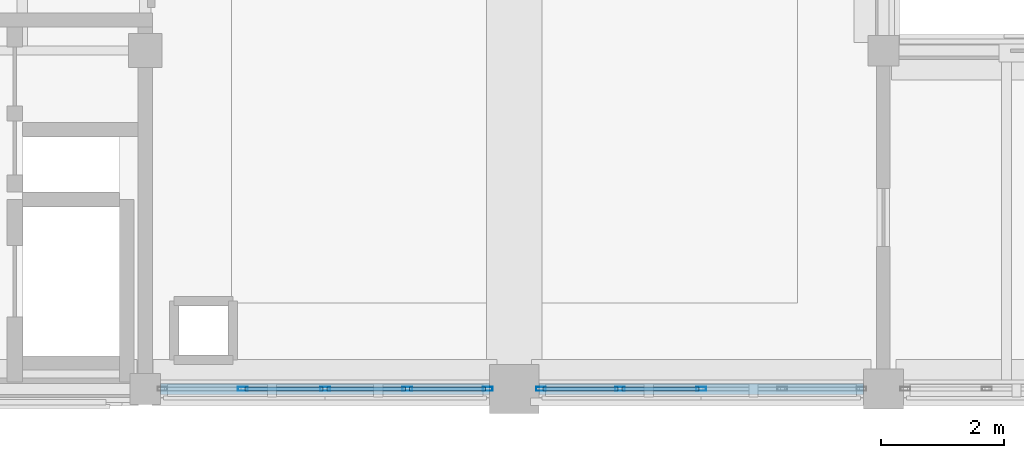
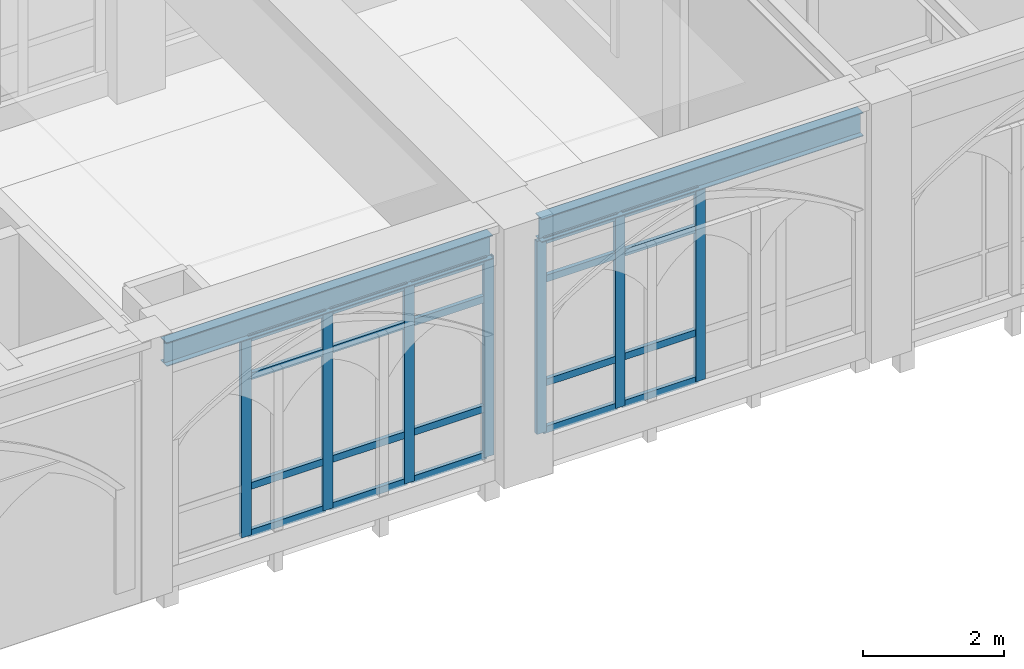
# One storey, part 13 of 127: 27 members, 2 beams, 2 elements without a shape of their own.
"""IFC4 building model written with IfcOpenShell, lengths in metres."""

from ifc_helpers import new_model, si_unit, direction, frame, origin, origin_2d, place, context, subcontext, project, spatial, hollow_rectangle, i_section, extrude, material, layer, layer_set, material_profile, profile_set, type_object, element, aggregate, save


model = new_model("IFC4")

# Units and contexts
model_context = context("Model", 3, precision=1e-05, world=origin(), true_north=direction((0.0, 1.0)))
body_context = subcontext(model_context, "Body", "Model", "MODEL_VIEW")
ifc_project = project(units=[si_unit("LENGTHUNIT", "METRE"), si_unit("AREAUNIT", "SQUARE_METRE"), si_unit("VOLUMEUNIT", "CUBIC_METRE"), si_unit("PLANEANGLEUNIT", "RADIAN"), si_unit("MASSUNIT", "GRAM", prefix="KILO")], contexts=[model_context])

# Site, building, storey
site_placement = place(None, origin())
site = spatial("IfcSite", under=ifc_project, at=site_placement, CompositionType="ELEMENT")
building_placement = place(site_placement, origin())
building = spatial("IfcBuilding", under=site, at=building_placement, Name="Cumevento Cable Car Station", CompositionType="ELEMENT")
storey_placement = place(building_placement, frame((0.0, 0.0, 4.5)))
storey = spatial("IfcBuildingStorey", under=building, at=storey_placement, Name="L02", CompositionType="ELEMENT", Elevation=4.5)

# Curtain wall, members
ifc_material_1 = material(Name="Anodised Bronze Aluminium AW-6063-T6", Category="aluminium")
ifc_layer_1 = layer(ifc_material_1, 0.18408203125)
ifc_layer_set_1 = layer_set([ifc_layer_1], Name="Anodised Bronze Aluminium AW-6063-T6")
curtain_wall_type_1 = type_object("IfcCurtainWallType", Name="Lancet Curtain Wall CW-05 1210", PredefinedType="NOTDEFINED", material=ifc_layer_set_1)
curtain_wall_1_placement = place(storey_placement, origin())
curtain_wall_1 = element("IfcCurtainWall", 1, at=curtain_wall_1_placement, inside=storey, type_object=curtain_wall_type_1, Name="Lancet Curtain Wall CW-05 L02 #20", PredefinedType="NOTDEFINED")
ifc_material_2 = material(Name="Anodised Bronze Aluminium AW-6063-T6", Category="aluminium")
ifc_material_profile_1 = material_profile(ifc_material_2, hollow_rectangle(XDim=0.06494140625, YDim=0.159912109375, WallThickness=0.00390625, at=origin_2d()), Name="ALUM65x160x4")
ifc_profile_set_1 = profile_set([ifc_material_profile_1], Name="Anodised Bronze Aluminium AW-6063-T6")
member_type_1 = type_object("IfcMemberType", Name="Curtain Mullion CWM-01 ALUM65x160x4", PredefinedType="MULLION", material=ifc_profile_set_1)
member_1_placement = place(storey_placement, frame((39.5673828125, 4.0, 0.360107421875), z_axis=(0.0, 0.0, 1.0), x_axis=(0.0, -1.0, 0.0)))
member_1 = element("IfcMember", 2, at=member_1_placement, type_object=member_type_1, Name="CW-05 mullion 1", PredefinedType="MULLION", context=body_context, shape_type="SweptSolid", body=[
    extrude(hollow_rectangle(XDim=0.06494140625, YDim=0.159912109375, WallThickness=0.00390625, at=origin_2d()), origin(), (0.0, 0.0, 1.0), 3.448974609375),
])
member_2_placement = place(storey_placement, frame((38.262451171875, 4.0, 0.360107421875), z_axis=(0.0, 0.0, 1.0), x_axis=(0.0, -1.0, 0.0)))
member_2 = element("IfcMember", 3, at=member_2_placement, type_object=member_type_1, Name="CW-05 mullion 2", PredefinedType="MULLION", context=body_context, shape_type="SweptSolid", body=[
    extrude(hollow_rectangle(XDim=0.06494140625, YDim=0.159912109375, WallThickness=0.00390625, at=origin_2d()), origin(), (0.0, 0.0, 1.0), 3.448974609375),
])
member_3_placement = place(storey_placement, frame((36.925048828125, 4.0, 0.360107421875), z_axis=(0.0, 0.0, 1.0), x_axis=(0.0, -1.0, 0.0)))
member_3 = element("IfcMember", 4, at=member_3_placement, type_object=member_type_1, Name="CW-05 mullion 3", PredefinedType="MULLION", context=body_context, shape_type="SweptSolid", body=[
    extrude(hollow_rectangle(XDim=0.06494140625, YDim=0.159912109375, WallThickness=0.00390625, at=origin_2d()), origin(), (0.0, 0.0, 1.0), 3.448974609375),
])
member_4_placement = place(storey_placement, frame((35.58740234375, 4.0, 0.360107421875), z_axis=(0.0, 0.0, 1.0), x_axis=(0.0, -1.0, 0.0)))
member_4 = element("IfcMember", 5, at=member_4_placement, type_object=member_type_1, Name="CW-05 mullion 4", PredefinedType="MULLION", context=body_context, shape_type="SweptSolid", body=[
    extrude(hollow_rectangle(XDim=0.06494140625, YDim=0.159912109375, WallThickness=0.00390625, at=origin_2d()), origin(), (0.0, 0.0, 1.0), 3.448974609375),
])

ifc_material_3 = material(Name="Anodised Bronze Aluminium AW-6063-T6", Category="aluminium")
ifc_layer_2 = layer(ifc_material_3, 0.196044921875)
ifc_layer_set_2 = layer_set([ifc_layer_2], Name="Anodised Bronze Aluminium AW-6063-T6")
curtain_wall_type_2 = type_object("IfcCurtainWallType", Name="Lancet Curtain Wall CW-07 1290", PredefinedType="NOTDEFINED", material=ifc_layer_set_2)
curtain_wall_2_placement = place(storey_placement, origin())
curtain_wall_2 = element("IfcCurtainWall", 6, at=curtain_wall_2_placement, inside=storey, type_object=curtain_wall_type_2, Name="Lancet Curtain Wall CW-07 L02 #22", PredefinedType="NOTDEFINED")
member_5_placement = place(storey_placement, frame((43.03759765625, 4.0, 0.4599609375), z_axis=(0.0, 0.0, 1.0), x_axis=(0.0, -1.0, 0.0)))
member_5 = element("IfcMember", 7, at=member_5_placement, type_object=member_type_1, Name="CW-07 mullion 3", PredefinedType="MULLION", context=body_context, shape_type="SweptSolid", body=[
    extrude(hollow_rectangle(XDim=0.06494140625, YDim=0.159912109375, WallThickness=0.00390625, at=origin_2d()), origin(), (0.0, 0.0, 1.0), 3.34912109375),
])
member_6_placement = place(storey_placement, frame((41.71875, 4.0, 0.4599609375), z_axis=(0.0, 0.0, 1.0), x_axis=(0.0, -1.0, 0.0)))
member_6 = element("IfcMember", 8, at=member_6_placement, type_object=member_type_1, Name="CW-07 mullion 4", PredefinedType="MULLION", context=body_context, shape_type="SweptSolid", body=[
    extrude(hollow_rectangle(XDim=0.06494140625, YDim=0.159912109375, WallThickness=0.00390625, at=origin_2d()), origin(), (0.0, 0.0, 1.0), 3.34912109375),
])
member_7_placement = place(storey_placement, frame((40.4326171875, 4.0, 0.4599609375), z_axis=(0.0, 0.0, 1.0), x_axis=(0.0, -1.0, 0.0)))
member_7 = element("IfcMember", 9, at=member_7_placement, type_object=member_type_1, Name="CW-07 mullion 5", PredefinedType="MULLION", context=body_context, shape_type="SweptSolid", body=[
    extrude(hollow_rectangle(XDim=0.06494140625, YDim=0.159912109375, WallThickness=0.00390625, at=origin_2d()), origin(), (0.0, 0.0, 1.0), 3.34912109375),
])

# Member
ifc_material_4 = material(Name="Anodised Bronze Aluminium AW-6063-T6", Category="aluminium")
ifc_material_profile_2 = material_profile(ifc_material_4, hollow_rectangle(XDim=0.06494140625, YDim=0.1201171875, WallThickness=0.00390625, at=origin_2d()), Name="ALUT65x120x4")
ifc_profile_set_2 = profile_set([ifc_material_profile_2], Name="Anodised Bronze Aluminium AW-6063-T6")
member_type_2 = type_object("IfcMemberType", Name="Curtain Transom CWT-01 ALUT65x120x4", PredefinedType="USERDEFINED", material=ifc_profile_set_2)
member_8_placement = place(storey_placement, frame((39.534912109375, 4.0, 0.392578125), z_axis=(-1.0, 0.0, 0.0), x_axis=(0.0, -1.0, 0.0)))
member_8 = element("IfcMember", 10, at=member_8_placement, type_object=member_type_2, Name="CW-05 transom 1.1", ObjectType="TRANSOM", PredefinedType="USERDEFINED", context=body_context, shape_type="SweptSolid", body=[
    extrude(hollow_rectangle(XDim=0.06494140625, YDim=0.1201171875, WallThickness=0.00390625, at=origin_2d()), origin(), (0.0, 0.0, 1.0), 1.239990234375),
])

member_9_placement = place(storey_placement, frame((39.534912109375, 4.0, 1.2099609375), z_axis=(-1.0, 0.0, 0.0), x_axis=(0.0, -1.0, 0.0)))
member_9 = element("IfcMember", 11, at=member_9_placement, type_object=member_type_2, Name="CW-05 transom 1.2", ObjectType="TRANSOM", PredefinedType="USERDEFINED", context=body_context, shape_type="SweptSolid", body=[
    extrude(hollow_rectangle(XDim=0.06494140625, YDim=0.1201171875, WallThickness=0.00390625, at=origin_2d()), origin(), (0.0, 0.0, 1.0), 1.239990234375),
])

member_10_placement = place(storey_placement, frame((39.534912109375, 4.0, 3.10888671875), z_axis=(-1.0, 0.0, 0.0), x_axis=(0.0, -1.0, 0.0)))
member_10 = element("IfcMember", 12, at=member_10_placement, type_object=member_type_2, Name="CW-05 transom 1.3", ObjectType="TRANSOM", PredefinedType="USERDEFINED", context=body_context, shape_type="SweptSolid", body=[
    extrude(hollow_rectangle(XDim=0.06494140625, YDim=0.1201171875, WallThickness=0.00390625, at=origin_2d()), origin(), (0.0, 0.0, 1.0), 1.239990234375),
])

member_11_placement = place(storey_placement, frame((39.534912109375, 4.0, 3.776611328125), z_axis=(-1.0, 0.0, 0.0), x_axis=(0.0, -1.0, 0.0)))
member_11 = element("IfcMember", 13, at=member_11_placement, type_object=member_type_2, Name="CW-05 transom 1.4", ObjectType="TRANSOM", PredefinedType="USERDEFINED", context=body_context, shape_type="SweptSolid", body=[
    extrude(hollow_rectangle(XDim=0.06494140625, YDim=0.1201171875, WallThickness=0.00390625, at=origin_2d()), origin(), (0.0, 0.0, 1.0), 1.239990234375),
])

member_12_placement = place(storey_placement, frame((38.22998046875, 4.0, 0.392578125), z_axis=(-1.0, 0.0, 0.0), x_axis=(0.0, -1.0, 0.0)))
member_12 = element("IfcMember", 14, at=member_12_placement, type_object=member_type_2, Name="CW-05 transom 2.1", ObjectType="TRANSOM", PredefinedType="USERDEFINED", context=body_context, shape_type="SweptSolid", body=[
    extrude(hollow_rectangle(XDim=0.06494140625, YDim=0.1201171875, WallThickness=0.00390625, at=origin_2d()), origin(), (0.0, 0.0, 1.0), 1.2724609375),
])

member_13_placement = place(storey_placement, frame((38.22998046875, 4.0, 1.2099609375), z_axis=(-1.0, 0.0, 0.0), x_axis=(0.0, -1.0, 0.0)))
member_13 = element("IfcMember", 15, at=member_13_placement, type_object=member_type_2, Name="CW-05 transom 2.2", ObjectType="TRANSOM", PredefinedType="USERDEFINED", context=body_context, shape_type="SweptSolid", body=[
    extrude(hollow_rectangle(XDim=0.06494140625, YDim=0.1201171875, WallThickness=0.00390625, at=origin_2d()), origin(), (0.0, 0.0, 1.0), 1.2724609375),
])

member_14_placement = place(storey_placement, frame((38.22998046875, 4.0, 3.10888671875), z_axis=(-1.0, 0.0, 0.0), x_axis=(0.0, -1.0, 0.0)))
member_14 = element("IfcMember", 16, at=member_14_placement, type_object=member_type_2, Name="CW-05 transom 2.3", ObjectType="TRANSOM", PredefinedType="USERDEFINED", context=body_context, shape_type="SweptSolid", body=[
    extrude(hollow_rectangle(XDim=0.06494140625, YDim=0.1201171875, WallThickness=0.00390625, at=origin_2d()), origin(), (0.0, 0.0, 1.0), 1.2724609375),
])

member_15_placement = place(storey_placement, frame((38.22998046875, 4.0, 3.776611328125), z_axis=(-1.0, 0.0, 0.0), x_axis=(0.0, -1.0, 0.0)))
member_15 = element("IfcMember", 17, at=member_15_placement, type_object=member_type_2, Name="CW-05 transom 2.4", ObjectType="TRANSOM", PredefinedType="USERDEFINED", context=body_context, shape_type="SweptSolid", body=[
    extrude(hollow_rectangle(XDim=0.06494140625, YDim=0.1201171875, WallThickness=0.00390625, at=origin_2d()), origin(), (0.0, 0.0, 1.0), 1.2724609375),
])

member_16_placement = place(storey_placement, frame((36.892578125, 4.0, 0.392578125), z_axis=(-1.0, 0.0, 0.0), x_axis=(0.0, -1.0, 0.0)))
member_16 = element("IfcMember", 18, at=member_16_placement, type_object=member_type_2, Name="CW-05 transom 3.1", ObjectType="TRANSOM", PredefinedType="USERDEFINED", context=body_context, shape_type="SweptSolid", body=[
    extrude(hollow_rectangle(XDim=0.06494140625, YDim=0.1201171875, WallThickness=0.00390625, at=origin_2d()), origin(), (0.0, 0.0, 1.0), 1.2724609375),
])

member_17_placement = place(storey_placement, frame((36.892578125, 4.0, 1.2099609375), z_axis=(-1.0, 0.0, 0.0), x_axis=(0.0, -1.0, 0.0)))
member_17 = element("IfcMember", 19, at=member_17_placement, type_object=member_type_2, Name="CW-05 transom 3.2", ObjectType="TRANSOM", PredefinedType="USERDEFINED", context=body_context, shape_type="SweptSolid", body=[
    extrude(hollow_rectangle(XDim=0.06494140625, YDim=0.1201171875, WallThickness=0.00390625, at=origin_2d()), origin(), (0.0, 0.0, 1.0), 1.2724609375),
])

member_18_placement = place(storey_placement, frame((36.892578125, 4.0, 3.10888671875), z_axis=(-1.0, 0.0, 0.0), x_axis=(0.0, -1.0, 0.0)))
member_18 = element("IfcMember", 20, at=member_18_placement, type_object=member_type_2, Name="CW-05 transom 3.3", ObjectType="TRANSOM", PredefinedType="USERDEFINED", context=body_context, shape_type="SweptSolid", body=[
    extrude(hollow_rectangle(XDim=0.06494140625, YDim=0.1201171875, WallThickness=0.00390625, at=origin_2d()), origin(), (0.0, 0.0, 1.0), 1.2724609375),
])

member_19_placement = place(storey_placement, frame((36.892578125, 4.0, 3.776611328125), z_axis=(-1.0, 0.0, 0.0), x_axis=(0.0, -1.0, 0.0)))
member_19 = element("IfcMember", 21, at=member_19_placement, type_object=member_type_2, Name="CW-05 transom 3.4", ObjectType="TRANSOM", PredefinedType="USERDEFINED", context=body_context, shape_type="SweptSolid", body=[
    extrude(hollow_rectangle(XDim=0.06494140625, YDim=0.1201171875, WallThickness=0.00390625, at=origin_2d()), origin(), (0.0, 0.0, 1.0), 1.2724609375),
])

aggregate(curtain_wall_1, [member_1, member_2, member_3, member_4, member_8, member_9, member_10, member_11, member_12, member_13, member_14, member_15, member_16, member_17, member_18, member_19])

member_20_placement = place(storey_placement, frame((43.0048828125, 4.0, 0.492431640625), z_axis=(-1.0, 0.0, 0.0), x_axis=(0.0, -1.0, 0.0)))
member_20 = element("IfcMember", 22, at=member_20_placement, type_object=member_type_2, Name="CW-07 transom 3.1", ObjectType="TRANSOM", PredefinedType="USERDEFINED", context=body_context, shape_type="SweptSolid", body=[
    extrude(hollow_rectangle(XDim=0.06494140625, YDim=0.1201171875, WallThickness=0.00390625, at=origin_2d()), origin(), (0.0, 0.0, 1.0), 1.253662109375),
])

member_21_placement = place(storey_placement, frame((43.0048828125, 4.0, 1.31005859375), z_axis=(-1.0, 0.0, 0.0), x_axis=(0.0, -1.0, 0.0)))
member_21 = element("IfcMember", 23, at=member_21_placement, type_object=member_type_2, Name="CW-07 transom 3.2", ObjectType="TRANSOM", PredefinedType="USERDEFINED", context=body_context, shape_type="SweptSolid", body=[
    extrude(hollow_rectangle(XDim=0.06494140625, YDim=0.1201171875, WallThickness=0.00390625, at=origin_2d()), origin(), (0.0, 0.0, 1.0), 1.253662109375),
])

member_22_placement = place(storey_placement, frame((43.0048828125, 4.0, 3.10888671875), z_axis=(-1.0, 0.0, 0.0), x_axis=(0.0, -1.0, 0.0)))
member_22 = element("IfcMember", 24, at=member_22_placement, type_object=member_type_2, Name="CW-07 transom 3.3", ObjectType="TRANSOM", PredefinedType="USERDEFINED", context=body_context, shape_type="SweptSolid", body=[
    extrude(hollow_rectangle(XDim=0.06494140625, YDim=0.1201171875, WallThickness=0.00390625, at=origin_2d()), origin(), (0.0, 0.0, 1.0), 1.253662109375),
])

member_23_placement = place(storey_placement, frame((43.0048828125, 4.0, 3.776611328125), z_axis=(-1.0, 0.0, 0.0), x_axis=(0.0, -1.0, 0.0)))
member_23 = element("IfcMember", 25, at=member_23_placement, type_object=member_type_2, Name="CW-07 transom 3.4", ObjectType="TRANSOM", PredefinedType="USERDEFINED", context=body_context, shape_type="SweptSolid", body=[
    extrude(hollow_rectangle(XDim=0.06494140625, YDim=0.1201171875, WallThickness=0.00390625, at=origin_2d()), origin(), (0.0, 0.0, 1.0), 1.253662109375),
])

member_24_placement = place(storey_placement, frame((41.686279296875, 4.0, 0.492431640625), z_axis=(-1.0, 0.0, 0.0), x_axis=(0.0, -1.0, 0.0)))
member_24 = element("IfcMember", 26, at=member_24_placement, type_object=member_type_2, Name="CW-07 transom 4.1", ObjectType="TRANSOM", PredefinedType="USERDEFINED", context=body_context, shape_type="SweptSolid", body=[
    extrude(hollow_rectangle(XDim=0.06494140625, YDim=0.1201171875, WallThickness=0.00390625, at=origin_2d()), origin(), (0.0, 0.0, 1.0), 1.22119140625),
])

member_25_placement = place(storey_placement, frame((41.686279296875, 4.0, 1.31005859375), z_axis=(-1.0, 0.0, 0.0), x_axis=(0.0, -1.0, 0.0)))
member_25 = element("IfcMember", 27, at=member_25_placement, type_object=member_type_2, Name="CW-07 transom 4.2", ObjectType="TRANSOM", PredefinedType="USERDEFINED", context=body_context, shape_type="SweptSolid", body=[
    extrude(hollow_rectangle(XDim=0.06494140625, YDim=0.1201171875, WallThickness=0.00390625, at=origin_2d()), origin(), (0.0, 0.0, 1.0), 1.22119140625),
])

member_26_placement = place(storey_placement, frame((41.686279296875, 4.0, 3.10888671875), z_axis=(-1.0, 0.0, 0.0), x_axis=(0.0, -1.0, 0.0)))
member_26 = element("IfcMember", 28, at=member_26_placement, type_object=member_type_2, Name="CW-07 transom 4.3", ObjectType="TRANSOM", PredefinedType="USERDEFINED", context=body_context, shape_type="SweptSolid", body=[
    extrude(hollow_rectangle(XDim=0.06494140625, YDim=0.1201171875, WallThickness=0.00390625, at=origin_2d()), origin(), (0.0, 0.0, 1.0), 1.22119140625),
])

member_27_placement = place(storey_placement, frame((41.686279296875, 4.0, 3.776611328125), z_axis=(-1.0, 0.0, 0.0), x_axis=(0.0, -1.0, 0.0)))
member_27 = element("IfcMember", 29, at=member_27_placement, type_object=member_type_2, Name="CW-07 transom 4.4", ObjectType="TRANSOM", PredefinedType="USERDEFINED", context=body_context, shape_type="SweptSolid", body=[
    extrude(hollow_rectangle(XDim=0.06494140625, YDim=0.1201171875, WallThickness=0.00390625, at=origin_2d()), origin(), (0.0, 0.0, 1.0), 1.22119140625),
])

aggregate(curtain_wall_2, [member_5, member_6, member_7, member_20, member_21, member_22, member_23, member_24, member_25, member_26, member_27])

# Beams
ifc_material_5 = material(Name="Steel ASTM A572 Grade 50", Category="steel")
ifc_material_profile_3 = material_profile(ifc_material_5, i_section(OverallWidth=0.177978515625, OverallDepth=0.406982421875, WebThickness=0.0078125, FlangeThickness=0.0126953125, at=origin_2d()), Name="W410x60.0")
ifc_profile_set_3 = profile_set([ifc_material_profile_3], Name="Steel ASTM A572 Grade 50")
beam_type = type_object("IfcBeamType", Name="Structural Spandrel SP-01 W410x60.0", PredefinedType="SPANDREL", material=ifc_profile_set_3)
beam_1_placement = place(storey_placement, frame((34.25, 4.0, 4.012451171875), z_axis=(1.0, 0.0, 0.0), x_axis=(0.0, 1.0, 0.0)))
element("IfcBeam", 30, at=beam_1_placement, inside=storey, type_object=beam_type, Name="Beam SP-01 L02 #433", PredefinedType="SPANDREL", context=body_context, shape_type="SweptSolid", body=[
    extrude(i_section(OverallWidth=0.177978515625, OverallDepth=0.406982421875, WebThickness=0.0078125, FlangeThickness=0.0126953125, at=origin_2d()), origin(), (0.0, 0.0, 1.0), 5.35009765625),
])
beam_2_placement = place(storey_placement, frame((40.39990234375, 4.0, 4.012451171875), z_axis=(1.0, 0.0, 0.0), x_axis=(0.0, 1.0, 0.0)))
element("IfcBeam", 31, at=beam_2_placement, inside=storey, type_object=beam_type, Name="Beam SP-01 L02 #434", PredefinedType="SPANDREL", context=body_context, shape_type="SweptSolid", body=[
    extrude(i_section(OverallWidth=0.177978515625, OverallDepth=0.406982421875, WebThickness=0.0078125, FlangeThickness=0.0126953125, at=origin_2d()), origin(), (0.0, 0.0, 1.0), 5.275146484375),
])

save(model, "model.ifc")
